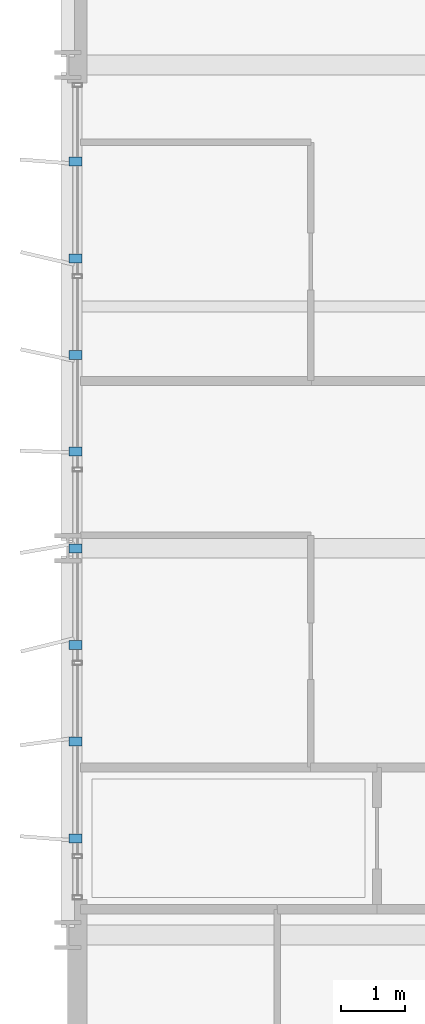
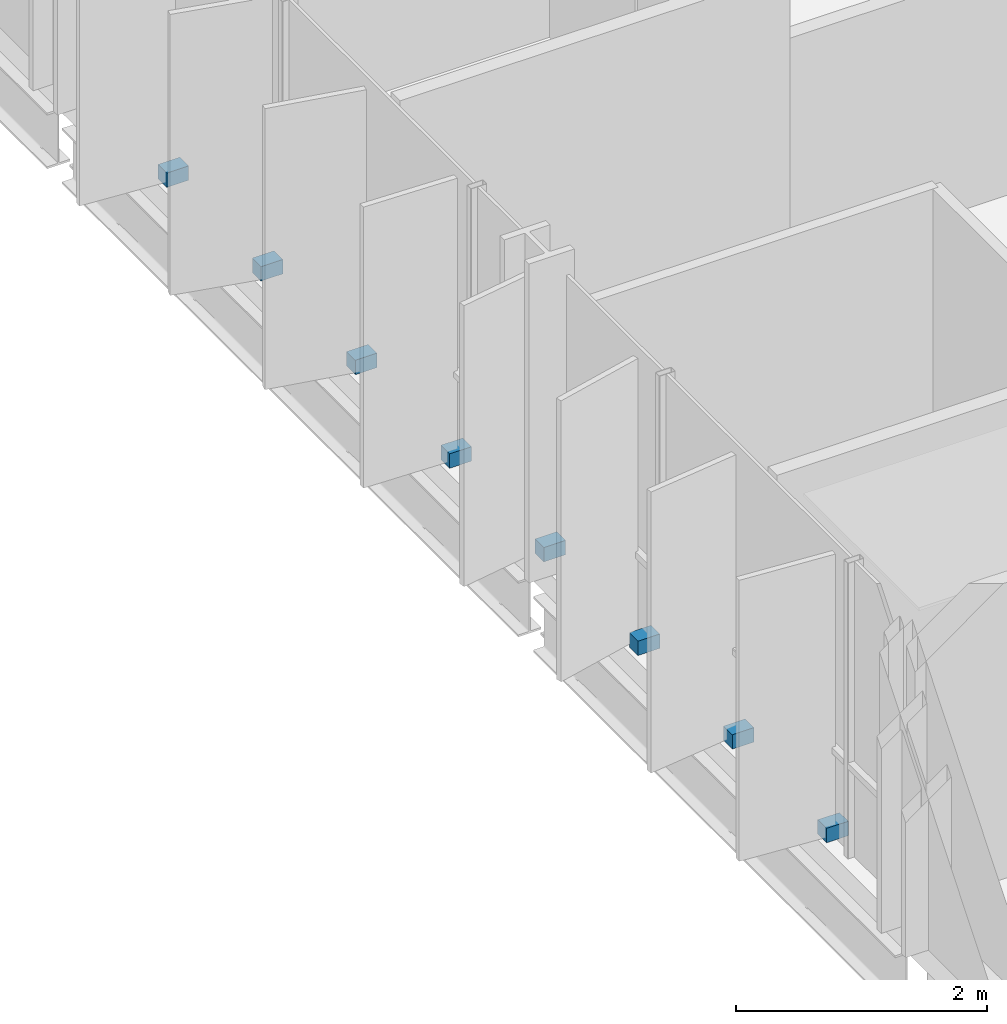
# One storey, part 34 of 39: 8 discrete accessories.
"""IFC4 building model written with IfcOpenShell, lengths in metres."""

from ifc_helpers import new_model, si_unit, direction, frame, origin, origin_2d, place, context, subcontext, project, spatial, rectangle, extrude, material, type_object, element, save


model = new_model("IFC4")

# Units and contexts
model_context = context("Model", 3, precision=1e-05, world=origin(), true_north=direction((0.0, 1.0)))
body_context = subcontext(model_context, "Body", "Model", "MODEL_VIEW")
ifc_project = project(units=[si_unit("LENGTHUNIT", "METRE"), si_unit("AREAUNIT", "SQUARE_METRE"), si_unit("VOLUMEUNIT", "CUBIC_METRE"), si_unit("PLANEANGLEUNIT", "RADIAN"), si_unit("MASSUNIT", "GRAM", prefix="KILO")], contexts=[model_context])

# Site, building, storey
site_placement = place(None, origin())
site = spatial("IfcSite", under=ifc_project, at=site_placement, CompositionType="ELEMENT")
building_placement = place(site_placement, origin())
building = spatial("IfcBuilding", under=site, at=building_placement, Name="Brevholm Reach", CompositionType="ELEMENT")
storey_placement = place(building_placement, frame((0.0, 0.0, 90.0)))
storey = spatial("IfcBuildingStorey", under=building, at=storey_placement, Name="L26", CompositionType="ELEMENT", Elevation=90.0)

# Discrete accessories
ifc_material = material(Name="Duplex Stainless Steel EN 1.4462", Category="steel")
discrete_accessory_type = type_object("IfcDiscreteAccessoryType", Name="ACC-BRK-01", PredefinedType="BRACKET", material=ifc_material)
for number, where, z_axis, x_axis, name in (
    (1, (0.1201171875, 11.5, 0.0302734375), (0.0, 0.0, 1.0), (-1.0, 0.0, 0.0), "L26 Solar Screen Support Bracket 1"),
    (2, (0.1201171875, 13.0, 0.0302734375), (0.0, 0.0, 1.0), (-1.0, 0.0, 0.0), "L26 Solar Screen Support Bracket 2"),
    (3, (0.1201171875, 14.5, 0.0302734375), (0.0, 0.0, 1.0), (-1.0, 0.0, 0.0), "L26 Solar Screen Support Bracket 3"),
    (4, (0.1201171875, 16.0, 0.0302734375), (0.0, 0.0, 1.0), (-1.0, 0.0, 0.0), "L26 Solar Screen Support Bracket 4"),
    (5, (0.1201171875, 17.5, 0.0302734375), (0.0, 0.0, 1.0), (-1.0, 0.0, 0.0), "L26 Solar Screen Support Bracket 5"),
    (6, (0.1201171875, 19.0, 0.0302734375), (0.0, 0.0, 1.0), (-1.0, 0.0, 0.0), "L26 Solar Screen Support Bracket 6"),
    (7, (0.1201171875, 20.5, 0.0302734375), (0.0, 0.0, 1.0), (-1.0, 0.0, 0.0), "L26 Solar Screen Support Bracket 7"),
    (8, (0.1201171875, 22.0, 0.0302734375), (0.0, 0.0, 1.0), (-1.0, 0.0, 0.0), "L26 Solar Screen Support Bracket 8"),
):
    element("IfcDiscreteAccessory", number, at=place(storey_placement, frame(where, z_axis=z_axis, x_axis=x_axis)), inside=storey, type_object=discrete_accessory_type, Name=name, PredefinedType="BRACKET", context=body_context, shape_type="SweptSolid", body=[
        extrude(rectangle(XDim=0.199951171875, YDim=0.139892578125, at=origin_2d()), origin(), (0.0, 0.0, 1.0), 0.139892578125),
    ])

save(model, "model.ifc")
